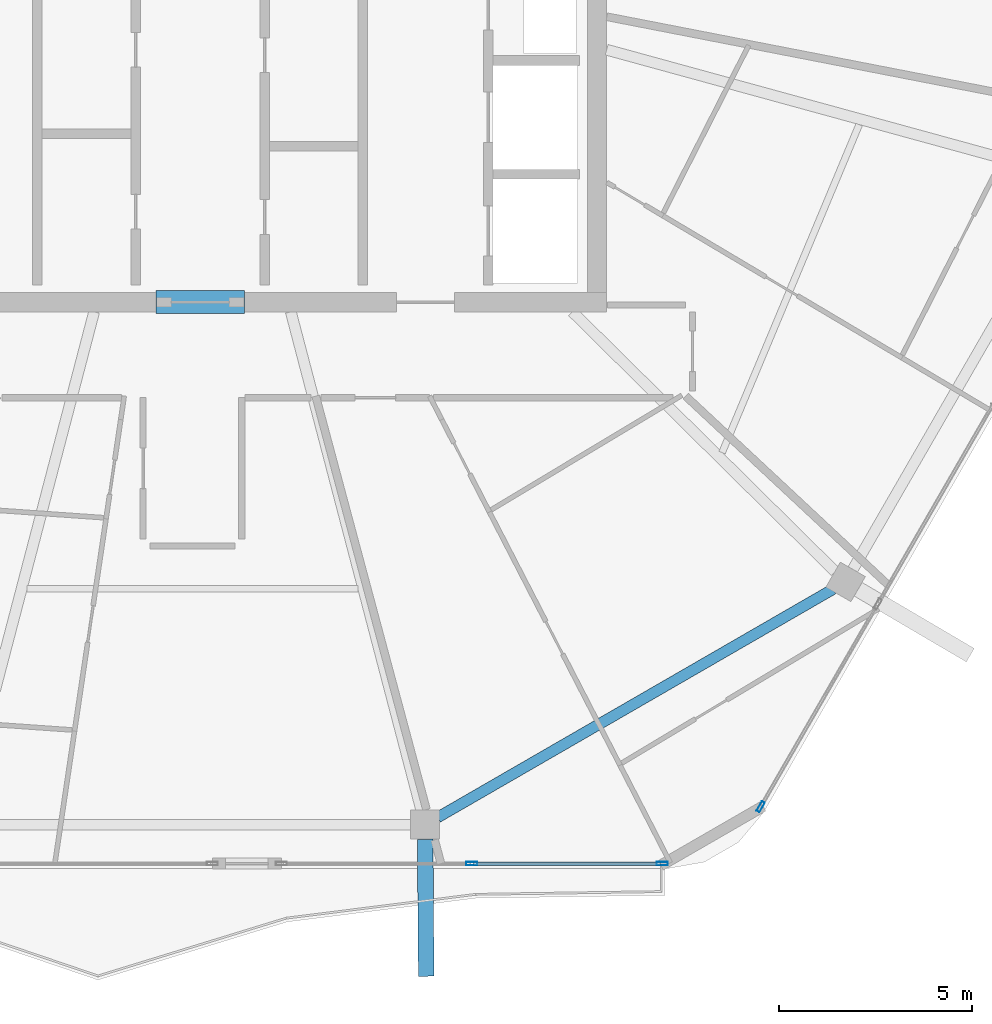
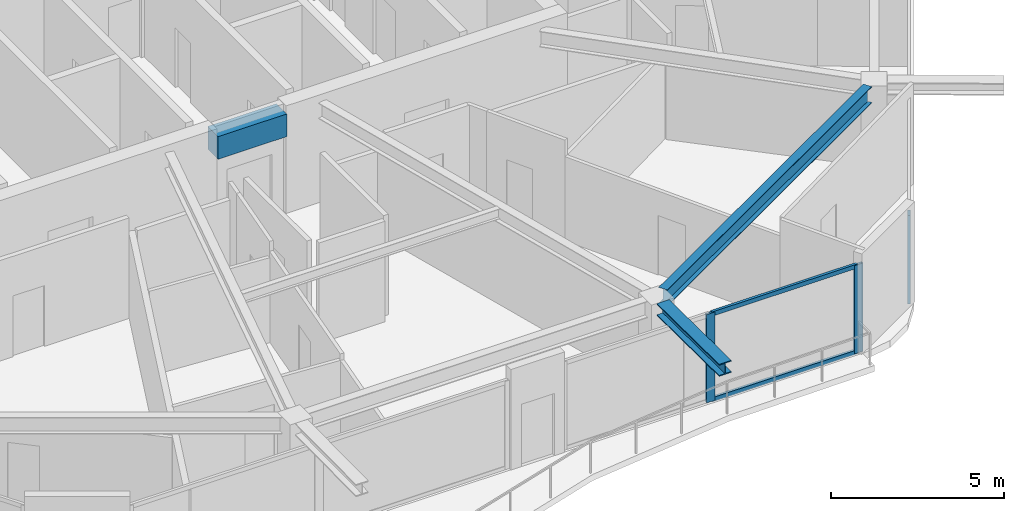
# One storey, part 5 of 21: 5 members, 3 beams, 2 elements without a shape of their own.
"""IFC4 building model written with IfcOpenShell, lengths in metres."""

from ifc_helpers import new_model, si_unit, direction, frame, origin, origin_2d, place, context, subcontext, project, spatial, rectangle, hollow_rectangle, i_section, extrude, material, material_profile, profile_set, type_object, element, aggregate, save


model = new_model("IFC4")

# Units and contexts
model_context = context("Model", 3, precision=1e-05, world=origin(), true_north=direction((0.0, 1.0)))
body_context = subcontext(model_context, "Body", "Model", "MODEL_VIEW")
ifc_project = project(units=[si_unit("LENGTHUNIT", "METRE"), si_unit("AREAUNIT", "SQUARE_METRE"), si_unit("VOLUMEUNIT", "CUBIC_METRE"), si_unit("PLANEANGLEUNIT", "RADIAN"), si_unit("MASSUNIT", "GRAM", prefix="KILO")], contexts=[model_context])

# Site, building, storey
site_placement = place(None, origin())
site = spatial("IfcSite", under=ifc_project, at=site_placement, CompositionType="ELEMENT")
building_placement = place(site_placement, origin())
building = spatial("IfcBuilding", under=site, at=building_placement, Name="Zuhravey Tower", CompositionType="ELEMENT")
storey_placement = place(building_placement, frame((0.0, 0.0, 334.800048828125)))
storey = spatial("IfcBuildingStorey", under=building, at=storey_placement, Name="L85", CompositionType="ELEMENT", Elevation=334.800048828125)

# Beam
ifc_material_1 = material(Name="Concrete C50/60", Category="concrete")
ifc_material_profile_1 = material_profile(ifc_material_1, rectangle(XDim=0.60009765625, YDim=0.800048828125, at=origin_2d()), Name="RC-600x800")
ifc_profile_set_1 = profile_set([ifc_material_profile_1], Name="Concrete C50/60")
beam_type_1 = type_object("IfcBeamType", Name="Core Coupling Beam RC600x800", PredefinedType="LINTEL", material=ifc_profile_set_1)
beam_1_placement = place(storey_placement, frame((35.052001953125, 22.5, 3.14990234375), z_axis=(1.0, 0.0, 0.0), x_axis=(0.0, 1.0, 0.0)))
element("IfcBeam", 1, at=beam_1_placement, inside=storey, type_object=beam_type_1, Name="L85 CB2 BM-L85-CB-S", PredefinedType="LINTEL", context=body_context, shape_type="SweptSolid", body=[
    extrude(rectangle(XDim=0.60009765625, YDim=0.800048828125, at=origin_2d()), origin(), (0.0, 0.0, 1.0), 2.2958984375),
])

# Curtain wall, member
ifc_material_2 = material(Name="Thermally broken anodised aluminium", Category="aluminium")
curtain_wall_type = type_object("IfcCurtainWallType", Name="Zone 3-4 High-Rise Curtain Wall CW4", PredefinedType="NOTDEFINED", material=ifc_material_2)
curtain_wall_1_placement = place(storey_placement, origin())
curtain_wall_1 = element("IfcCurtainWall", 2, at=curtain_wall_1_placement, inside=storey, type_object=curtain_wall_type, Name="L85 CW4 CW-L85-F6-1", PredefinedType="NOTDEFINED")
ifc_material_3 = material(Name="Anodised aluminium", Category="aluminium")
ifc_material_profile_2 = material_profile(ifc_material_3, hollow_rectangle(XDim=0.090087890625, YDim=0.284912109375, WallThickness=0.0048828125, at=origin_2d()), Name="ALU-RHS-90x285x5")
ifc_profile_set_2 = profile_set([ifc_material_profile_2], Name="Anodised aluminium")
member_type_1 = type_object("IfcMemberType", Name="Curtain-Wall Mullion 90x180", PredefinedType="MULLION", material=ifc_profile_set_2)
member_1_placement = place(storey_placement, frame((50.751708984375, 9.40234375, 0.0), z_axis=(0.0, 0.0, 1.0), x_axis=(0.866025511541, -0.49999981336, 0.0)))
member_1 = element("IfcMember", 3, at=member_1_placement, type_object=member_type_1, Name="CW4 mullion 5", PredefinedType="MULLION", context=body_context, shape_type="SweptSolid", body=[
    extrude(hollow_rectangle(XDim=0.090087890625, YDim=0.284912109375, WallThickness=0.0048828125, at=origin_2d()), origin(), (0.0, 0.0, 1.0), 3.1220703125),
])
aggregate(curtain_wall_1, [member_1])

# Curtain wall, members
curtain_wall_2_placement = place(storey_placement, origin())
curtain_wall_2 = element("IfcCurtainWall", 4, at=curtain_wall_2_placement, inside=storey, type_object=curtain_wall_type, Name="L85 CW4 CW-L85-F5-1", PredefinedType="NOTDEFINED")
member_2_placement = place(storey_placement, frame((48.1943359375, 7.92578125, 0.0), z_axis=(0.0, 0.0, 1.0), x_axis=(0.0, -1.0, 0.0)))
member_2 = element("IfcMember", 5, at=member_2_placement, type_object=member_type_1, Name="CW4 mullion 1", PredefinedType="MULLION", context=body_context, shape_type="SweptSolid", body=[
    extrude(hollow_rectangle(XDim=0.090087890625, YDim=0.284912109375, WallThickness=0.0048828125, at=origin_2d()), origin(), (0.0, 0.0, 1.0), 3.1220703125),
])
member_3_placement = place(storey_placement, frame((43.250732421875, 7.92578125, 0.0), z_axis=(0.0, 0.0, 1.0), x_axis=(0.0, -1.0, 0.0)))
member_3 = element("IfcMember", 6, at=member_3_placement, type_object=member_type_1, Name="CW4 mullion 2", PredefinedType="MULLION", context=body_context, shape_type="SweptSolid", body=[
    extrude(hollow_rectangle(XDim=0.090087890625, YDim=0.284912109375, WallThickness=0.0048828125, at=origin_2d()), origin(), (0.0, 0.0, 1.0), 3.1220703125),
])
ifc_material_profile_3 = material_profile(ifc_material_3, hollow_rectangle(XDim=0.090087890625, YDim=0.14990234375, WallThickness=0.0048828125, at=origin_2d()), Name="ALU-RHS-90x150x5")
ifc_profile_set_3 = profile_set([ifc_material_profile_3], Name="Anodised aluminium")
member_type_2 = type_object("IfcMemberType", Name="Curtain-Wall Transom 90x150", PredefinedType="USERDEFINED", material=ifc_profile_set_3)
member_4_placement = place(storey_placement, frame((48.1494140625, 7.92578125, 0.044921875), z_axis=(-1.0, 0.0, 0.0), x_axis=(0.0, -1.0, 0.0)))
member_4 = element("IfcMember", 7, at=member_4_placement, type_object=member_type_2, Name="CW4 transom 1.1", ObjectType="TRANSOM", PredefinedType="USERDEFINED", context=body_context, shape_type="SweptSolid", body=[
    extrude(hollow_rectangle(XDim=0.090087890625, YDim=0.14990234375, WallThickness=0.0048828125, at=origin_2d()), origin(), (0.0, 0.0, 1.0), 4.853759765625),
])
member_5_placement = place(storey_placement, frame((48.1494140625, 7.92578125, 3.076904296875), z_axis=(-1.0, 0.0, 0.0), x_axis=(0.0, -1.0, 0.0)))
member_5 = element("IfcMember", 8, at=member_5_placement, type_object=member_type_2, Name="CW4 transom 1.2", ObjectType="TRANSOM", PredefinedType="USERDEFINED", context=body_context, shape_type="SweptSolid", body=[
    extrude(hollow_rectangle(XDim=0.090087890625, YDim=0.14990234375, WallThickness=0.0048828125, at=origin_2d()), origin(), (0.0, 0.0, 1.0), 4.853759765625),
])
aggregate(curtain_wall_2, [member_2, member_3, member_4, member_5])

# Beams
ifc_material_4 = material(Name="Steel SM460", Category="steel")
ifc_material_profile_4 = material_profile(ifc_material_4, i_section(OverallWidth=0.406982421875, OverallDepth=0.427978515625, WebThickness=0.02001953125, FlangeThickness=0.034912109375, at=origin_2d()), Name="H-428x407x20x35")
ifc_profile_set_4 = profile_set([ifc_material_profile_4], Name="Steel SM460")
beam_type_2 = type_object("IfcBeamType", Name="Exoskeleton Node Tie Beam H428x407", PredefinedType="BEAM", material=ifc_profile_set_4)
beam_2_placement = place(storey_placement, frame((42.04150390625, 8.556884765625, 3.3359375), z_axis=(0.007277527838, -0.999973518444, 0.0), x_axis=(0.999973518444, 0.007277527838, 0.0)))
element("IfcBeam", 9, at=beam_2_placement, inside=storey, type_object=beam_type_2, Name="L85 Exoskeleton Node Tie NT1-10", PredefinedType="BEAM", context=body_context, shape_type="SweptSolid", body=[
    extrude(i_section(OverallWidth=0.406982421875, OverallDepth=0.427978515625, WebThickness=0.02001953125, FlangeThickness=0.034912109375, at=origin_2d()), origin(), (0.0, 0.0, 1.0), 3.555908203125),
])
ifc_material_5 = material(Name="Steel SM355", Category="steel")
ifc_material_profile_5 = material_profile(ifc_material_5, i_section(OverallWidth=0.280029296875, OverallDepth=0.580078125, WebThickness=0.011962890625, FlangeThickness=0.01904296875, at=origin_2d()), Name="H-580x280x12x19")
ifc_profile_set_5 = profile_set([ifc_material_profile_5], Name="Steel SM355")
beam_type_3 = type_object("IfcBeamType", Name="Perimeter Ring Beam H580x280", PredefinedType="BEAM", material=ifc_profile_set_5)
beam_3_placement = place(storey_placement, frame((42.365966796875, 9.125, 3.260009765625), z_axis=(0.866030838723, 0.499990586292, 0.0), x_axis=(-0.499990586292, 0.866030838723, 0.0)))
element("IfcBeam", 10, at=beam_3_placement, inside=storey, type_object=beam_type_3, Name="L85 PB4 BM-L85-PB-10", PredefinedType="BEAM", context=body_context, shape_type="SweptSolid", body=[
    extrude(i_section(OverallWidth=0.280029296875, OverallDepth=0.580078125, WebThickness=0.011962890625, FlangeThickness=0.01904296875, at=origin_2d()), origin(), (0.0, 0.0, 1.0), 11.848876953125),
])

save(model, "model.ifc")
